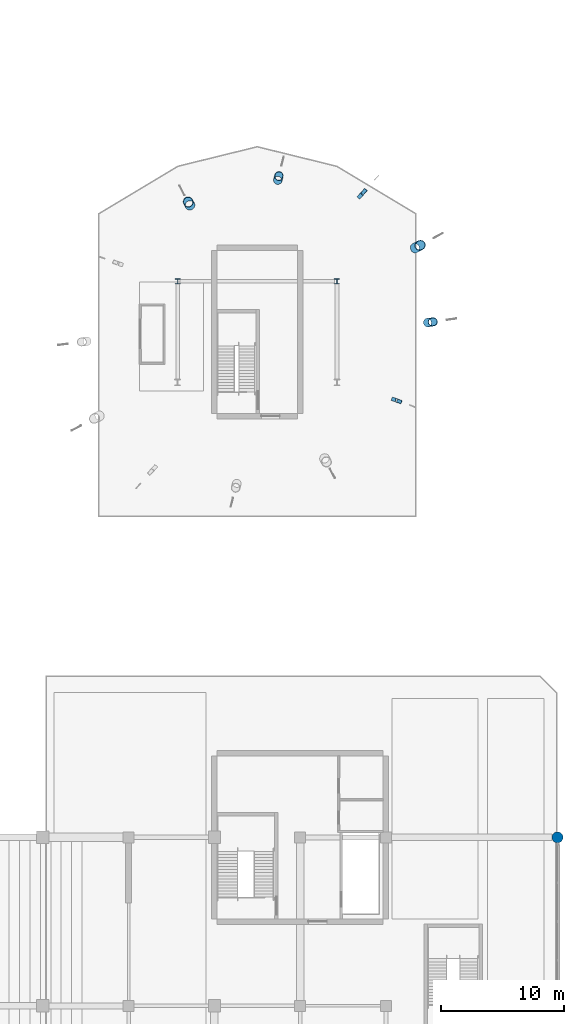
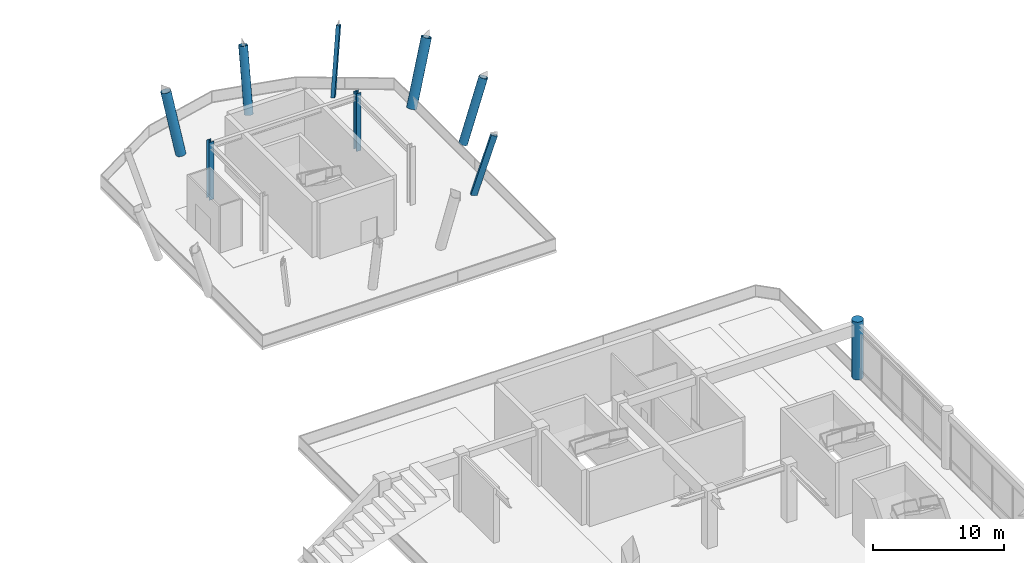
# One storey, part 21 of 117: 9 columns.
"""IFC4 building model written with IfcOpenShell, lengths in metres."""

from ifc_helpers import new_model, si_unit, direction, frame, origin, origin_2d, place, context, subcontext, project, spatial, hollow_rectangle, circle, hollow_circle, i_section, extrude, material, material_profile, profile_set, type_object, element, save


model = new_model("IFC4")

# Units and contexts
model_context = context("Model", 3, precision=1e-05, world=origin(), true_north=direction((0.0, 1.0)))
body_context = subcontext(model_context, "Body", "Model", "MODEL_VIEW")
ifc_project = project(units=[si_unit("LENGTHUNIT", "METRE"), si_unit("AREAUNIT", "SQUARE_METRE"), si_unit("VOLUMEUNIT", "CUBIC_METRE"), si_unit("PLANEANGLEUNIT", "RADIAN"), si_unit("MASSUNIT", "GRAM", prefix="KILO")], contexts=[model_context])

# Site, building, storey
site_placement = place(None, origin())
site = spatial("IfcSite", under=ifc_project, at=site_placement, CompositionType="ELEMENT")
building_placement = place(site_placement, origin())
building = spatial("IfcBuilding", under=site, at=building_placement, Name="Linyun Crest Stadium", CompositionType="ELEMENT")
storey_placement = place(building_placement, frame((0.0, 0.0, 6.0)))
storey = spatial("IfcBuildingStorey", under=building, at=storey_placement, Name="L02", CompositionType="ELEMENT", Elevation=6.0)

# Columns
ifc_material_1 = material(Name="Concrete C50", Category="concrete")
ifc_material_profile_1 = material_profile(ifc_material_1, circle(Radius=0.449951171875, at=origin_2d()), Name="RC D900")
ifc_profile_set_1 = profile_set([ifc_material_profile_1], Name="Concrete C50")
column_type_1 = type_object("IfcColumnType", Name="C08", PredefinedType="COLUMN", material=ifc_profile_set_1)
column_1_placement = place(storey_placement, frame((98.0, 43.375, 0.0), z_axis=(0.0, 0.0, 1.0), x_axis=(1.0, 0.0, 0.0)))
element("IfcColumn", 1, at=column_1_placement, inside=storey, type_object=column_type_1, Name="Column C08 L02 566", PredefinedType="COLUMN", context=body_context, shape_type="SweptSolid", body=[
    extrude(circle(Radius=0.449951171875, at=origin_2d()), origin(), (0.0, 0.0, 1.0), 5.39794921875),
])
ifc_material_2 = material(Name="Steel Q355C", Category="steel")
ifc_material_profile_2 = material_profile(ifc_material_2, i_section(OverallWidth=0.406982421875, OverallDepth=0.427978515625, WebThickness=0.02001953125, FlangeThickness=0.034912109375, at=origin_2d()), Name="HW 428x407")
ifc_profile_set_2 = profile_set([ifc_material_profile_2], Name="Steel Q355C")
column_type_2 = type_object("IfcColumnType", Name="SC03", PredefinedType="COLUMN", material=ifc_profile_set_2)
for number, where, z_axis, x_axis, name in (
    (2, (67.0, 88.75, 0.0), (0.0, 0.0, 1.0), (1.0, 0.0, 0.0), "Column SC03 L02 838"),
    (3, (80.0, 88.75, 0.0), (0.0, 0.0, 1.0), (1.0, 0.0, 0.0), "Column SC03 L02 845"),
):
    element("IfcColumn", number, at=place(storey_placement, frame(where, z_axis=z_axis, x_axis=x_axis)), inside=storey, type_object=column_type_2, Name=name, PredefinedType="COLUMN", context=body_context, shape_type="SweptSolid", body=[
        extrude(i_section(OverallWidth=0.406982421875, OverallDepth=0.427978515625, WebThickness=0.02001953125, FlangeThickness=0.034912109375, at=origin_2d()), origin(), (0.0, 0.0, 1.0), 5.39794921875),
    ])
ifc_material_3 = material(Name="Steel Q420C", Category="steel")
ifc_material_profile_3 = material_profile(ifc_material_3, hollow_circle(Radius=0.35546875, WallThickness=0.031982421875, at=origin_2d()), Name="CHS 711x32")
ifc_profile_set_3 = profile_set([ifc_material_profile_3], Name="Steel Q420C")
column_type_3 = type_object("IfcColumnType", Name="VL01", PredefinedType="PILASTER", material=ifc_profile_set_3)
column_2_placement = place(storey_placement, frame((75.176025390625, 97.0029296875, 0.001953125), z_axis=(0.06969646561, 0.27409892702, 0.959172654368), x_axis=(-0.969159835539, 0.246432979081, 0.0)))
element("IfcColumn", 4, at=column_2_placement, inside=storey, type_object=column_type_3, Name="Inclined V-leg pier VL01 44", PredefinedType="PILASTER", context=body_context, shape_type="SweptSolid", body=[
    extrude(hollow_circle(Radius=0.35546875, WallThickness=0.031982421875, at=origin_2d()), origin(), (0.0, 0.0, 1.0), 5.625732421875),
])
column_3_placement = place(storey_placement, frame((87.39892578125, 85.383056640625, 0.001953125), z_axis=(0.340273478299, 0.046995812562, 0.93915140077), x_axis=(-0.136813203276, 0.990596864224, 0.0)))
element("IfcColumn", 5, at=column_3_placement, inside=storey, type_object=column_type_3, Name="Inclined V-leg pier VL01 71", PredefinedType="PILASTER", context=body_context, shape_type="SweptSolid", body=[
    extrude(hollow_circle(Radius=0.35546875, WallThickness=0.031982421875, at=origin_2d()), origin(), (0.0, 0.0, 1.0), 5.74560546875),
])
ifc_material_4 = material(Name="Steel Q420C", Category="steel")
ifc_material_profile_4 = material_profile(ifc_material_4, hollow_circle(Radius=0.406494140625, WallThickness=0.035888671875, at=origin_2d()), Name="CHS 813x36")
ifc_profile_set_4 = profile_set([ifc_material_profile_4], Name="Steel Q420C")
column_type_4 = type_object("IfcColumnType", Name="VL02", PredefinedType="PILASTER", material=ifc_profile_set_4)
column_4_placement = place(storey_placement, frame((86.375, 91.470947265625, 0.001953125), z_axis=(0.325568876488, 0.17298343741, 0.92955991579), x_axis=(-0.469208050864, 0.883087654202, 0.0)))
element("IfcColumn", 6, at=column_4_placement, inside=storey, type_object=column_type_4, Name="Inclined V-leg pier VL02 38", PredefinedType="PILASTER", context=body_context, shape_type="SweptSolid", body=[
    extrude(hollow_circle(Radius=0.406494140625, WallThickness=0.035888671875, at=origin_2d()), origin(), (0.0, 0.0, 1.0), 5.804931640625),
])
column_5_placement = place(storey_placement, frame((68.001953125, 94.966064453125, 0.001953125), z_axis=(-0.11464459209, 0.215644152363, 0.969718627776), x_axis=(-0.882973793471, -0.469422283284, 0.0)))
element("IfcColumn", 7, at=column_5_placement, inside=storey, type_object=column_type_4, Name="Inclined V-leg pier VL02 47", PredefinedType="PILASTER", context=body_context, shape_type="SweptSolid", body=[
    extrude(hollow_circle(Radius=0.406494140625, WallThickness=0.035888671875, at=origin_2d()), origin(), (0.0, 0.0, 1.0), 5.564453125),
])
ifc_material_5 = material(Name="Steel Q420C", Category="steel")
ifc_material_profile_5 = material_profile(ifc_material_5, hollow_rectangle(XDim=0.300048828125, YDim=0.5, WallThickness=0.02001953125, at=origin_2d()), Name="RHS 500x300x20")
ifc_profile_set_5 = profile_set([ifc_material_profile_5], Name="Steel Q420C")
column_type_5 = type_object("IfcColumnType", Name="VL03", PredefinedType="PILASTER", material=ifc_profile_set_5)
column_6_placement = place(storey_placement, frame((81.89990234375, 95.72412109375, 0.001953125), z_axis=(0.22940222553, 0.255830857551, 0.939108721739), x_axis=(-0.744516455679, 0.667604109651, 0.0)))
element("IfcColumn", 8, at=column_6_placement, inside=storey, type_object=column_type_5, Name="Inclined V-leg pier VL03 41", PredefinedType="PILASTER", context=body_context, shape_type="SweptSolid", body=[
    extrude(hollow_rectangle(XDim=0.300048828125, YDim=0.5, WallThickness=0.02001953125, at=origin_2d()), origin(), (0.0, 0.0, 1.0), 5.745849609375),
])
column_7_placement = place(storey_placement, frame((84.698974609375, 79.092041015625, 0.001953125), z_axis=(0.266286911611, -0.095300856893, 0.959171010498), x_axis=(0.336958422921, 0.941519527797, 0.0)))
element("IfcColumn", 9, at=column_7_placement, inside=storey, type_object=column_type_5, Name="Inclined V-leg pier VL03 68", PredefinedType="PILASTER", context=body_context, shape_type="SweptSolid", body=[
    extrude(hollow_rectangle(XDim=0.300048828125, YDim=0.5, WallThickness=0.02001953125, at=origin_2d()), origin(), (0.0, 0.0, 1.0), 5.625732421875),
])

save(model, "model.ifc")
